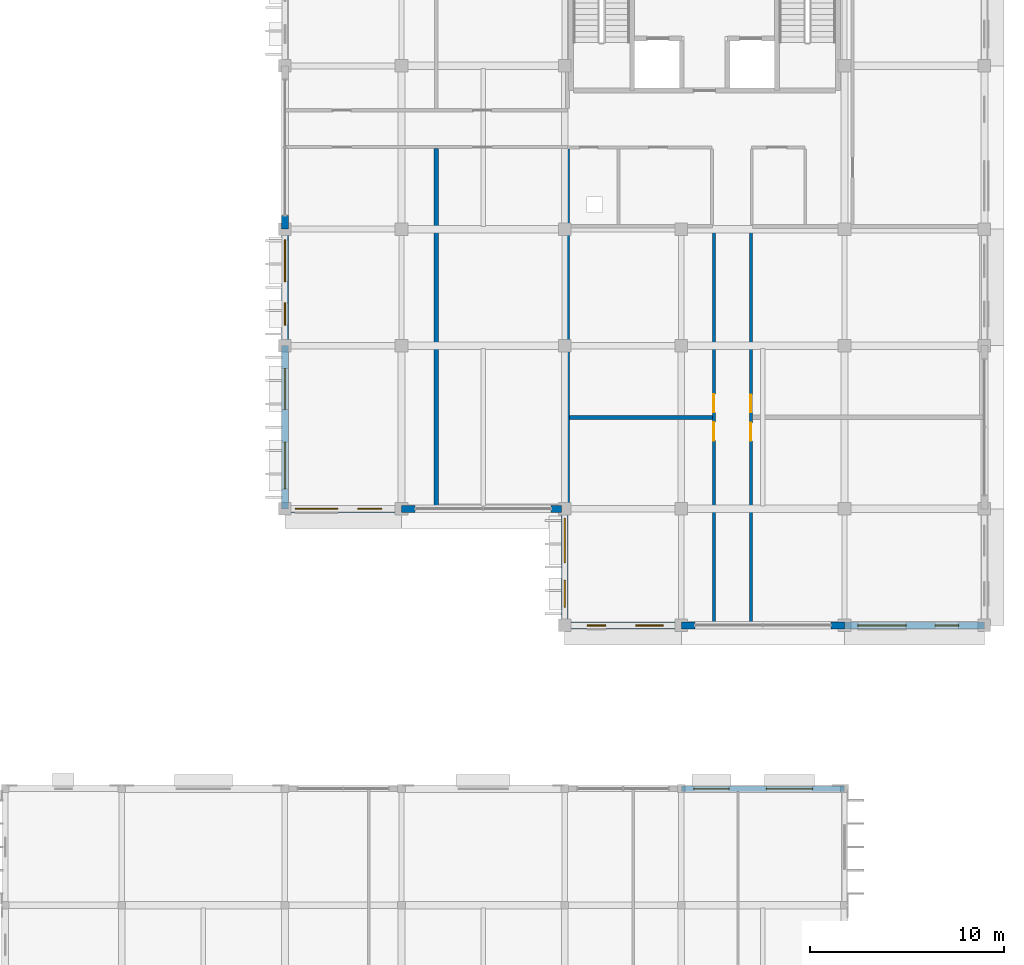
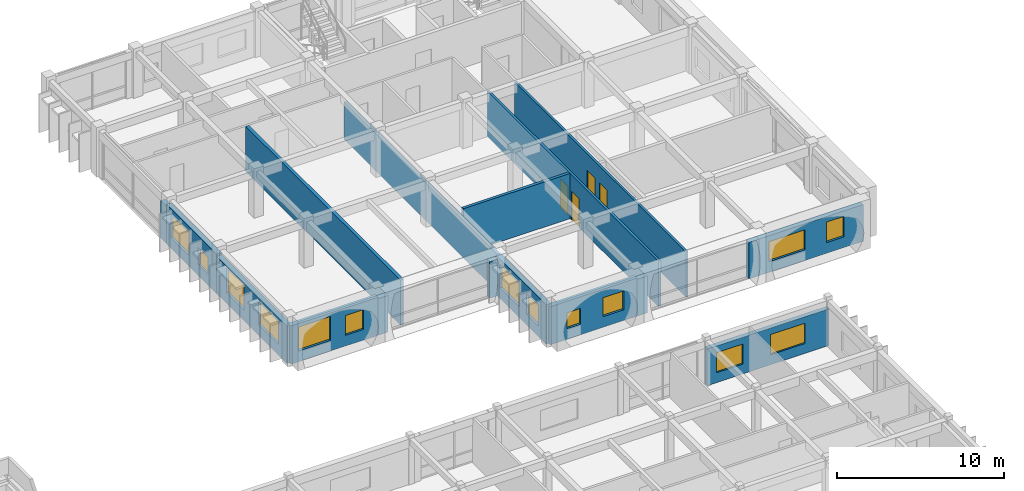
# One storey, part 62 of 88: 17 walls, 14 windows, 4 doors, 18 openings.
"""IFC4 building model written with IfcOpenShell, lengths in metres."""

from ifc_helpers import new_model, si_unit, direction, frame, frame_2d, origin, place, context, subcontext, project, spatial, rectangle, extrude, material, layer, layer_set, type_object, element, fill, save


model = new_model("IFC4")

# Units and contexts
model_context = context("Model", 3, precision=1e-05, world=origin(), true_north=direction((0.0, 1.0)))
body_context = subcontext(model_context, "Body", "Model", "MODEL_VIEW")
ifc_project = project(units=[si_unit("LENGTHUNIT", "METRE"), si_unit("AREAUNIT", "SQUARE_METRE"), si_unit("VOLUMEUNIT", "CUBIC_METRE"), si_unit("PLANEANGLEUNIT", "RADIAN"), si_unit("MASSUNIT", "GRAM", prefix="KILO"), si_unit("THERMODYNAMICTEMPERATUREUNIT", "KELVIN")], contexts=[model_context])

# Site, building, storey
site_placement = place(None, origin())
site = spatial("IfcSite", under=ifc_project, at=site_placement, CompositionType="ELEMENT")
building_placement = place(site_placement, origin())
building = spatial("IfcBuilding", under=site, at=building_placement, Name="Thalorik Housing Commons", CompositionType="ELEMENT")
storey_placement = place(building_placement, frame((0.0, 0.0, 4.5)))
storey = spatial("IfcBuildingStorey", under=building, at=storey_placement, Name="L01", CompositionType="ELEMENT", Elevation=4.5)

# Wall, openings, doors
ifc_material_1 = material(Name="Masonry fire-rated corridor wall", Category="masonry")
ifc_layer_1 = layer(ifc_material_1, 0.14990234375, Name="Masonry fire-rated corridor wall", Category="masonry")
ifc_layer_set_1 = layer_set([ifc_layer_1], Name="Masonry fire-rated corridor wall")
wall_type_1 = type_object("IfcWallType", Name="ARC-WAL-CORR-150", PredefinedType="PARTITIONING", material=ifc_layer_set_1)
wall_1_placement = place(storey_placement, frame((161.97998046875, 37.260009765625, 0.0), z_axis=(0.0, 0.0, 1.0), x_axis=(0.0, 1.0, 0.0)))
wall_1 = element("IfcWall", 1, at=wall_1_placement, inside=storey, type_object=wall_type_1, Name="L01 Block D E Corridor Wall 2", PredefinedType="PARTITIONING", context=body_context, shape_type="SweptSolid", body=[
    extrude(rectangle(XDim=20.47998046875, YDim=0.14990234375, at=frame_2d((10.239990234375, 0.0))), origin(), (0.0, 0.0, 1.0), 3.300048828125),
])
opening_1_placement = place(wall_1_placement, frame((9.43994140625, 0.0, 0.0)))
opening_1 = element("IfcOpeningElement", 2, at=opening_1_placement, cuts=wall_1, Name="Opening ID-1993", PredefinedType="OPENING", context=body_context, shape_type="SweptSolid", body=[
    extrude(rectangle(XDim=0.919921875, YDim=2.10009765625, at=frame_2d((0.4599609375, 1.050048828125))), frame((0.0, 0.0849609375, 0.0), z_axis=(0.0, -1.0, 0.0), x_axis=(1.0, 0.0, 0.0)), (0.0, 0.0, 1.0), 0.169921875),
])
opening_2_placement = place(wall_1_placement, frame((10.89990234375, 0.0, 0.0)))
opening_2 = element("IfcOpeningElement", 3, at=opening_2_placement, cuts=wall_1, Name="Opening ID-1994", PredefinedType="OPENING", context=body_context, shape_type="SweptSolid", body=[
    extrude(rectangle(XDim=0.919921875, YDim=2.10009765625, at=frame_2d((0.4599609375, 1.050048828125))), frame((0.0, 0.0849609375, 0.0), z_axis=(0.0, -1.0, 0.0), x_axis=(1.0, 0.0, 0.0)), (0.0, 0.0, 1.0), 0.169921875),
])
ifc_material_2 = material(Name="Solid core hardwood timber", Category="wood")
door_type_1 = type_object("IfcDoorType", Name="ARC-DR-FD30-920", OperationType="NOTDEFINED", PredefinedType="DOOR", material=ifc_material_2)
door_1_placement = place(opening_1_placement, origin())
door_1 = element("IfcDoor", 4, at=door_1_placement, inside=storey, type_object=door_type_1, Name="L01 Music and Craft Practice Room Door", OperationType="SINGLE_SWING_RIGHT", OverallHeight=2.10009765625, OverallWidth=0.919921875, PredefinedType="DOOR", context=body_context, shape_type="SweptSolid", body=[
    extrude(rectangle(XDim=0.919921875, YDim=2.10009765625, at=frame_2d((0.4599609375, 1.050048828125))), frame((0.0, 0.02490234375, 0.0), z_axis=(0.0, -1.0, 0.0), x_axis=(1.0, 0.0, 0.0)), (0.0, 0.0, 1.0), 0.050048828125),
])
fill(opening_1, door_1)
door_2_placement = place(opening_2_placement, origin())
door_2 = element("IfcDoor", 5, at=door_2_placement, inside=storey, type_object=door_type_1, Name="L01 Ceramics and Print Workshop Door", OperationType="SINGLE_SWING_LEFT", OverallHeight=2.10009765625, OverallWidth=0.919921875, PredefinedType="DOOR", context=body_context, shape_type="SweptSolid", body=[
    extrude(rectangle(XDim=0.919921875, YDim=2.10009765625, at=frame_2d((0.4599609375, 1.050048828125))), frame((0.0, 0.02490234375, 0.0), z_axis=(0.0, -1.0, 0.0), x_axis=(1.0, 0.0, 0.0)), (0.0, 0.0, 1.0), 0.050048828125),
])
fill(opening_2, door_2)

ifc_layer_2 = layer(ifc_material_1, 0.1650390625, Name="Masonry fire-rated corridor wall", Category="masonry")
ifc_layer_set_2 = layer_set([ifc_layer_2], Name="Masonry fire-rated corridor wall")
wall_type_2 = type_object("IfcWallType", Name="ARC-WAL-CORR-165", PredefinedType="PARTITIONING", material=ifc_layer_set_2)
wall_2_placement = place(storey_placement, frame((160.080078125, 37.260009765625, 0.0), z_axis=(0.0, 0.0, 1.0), x_axis=(0.0, 1.0, 0.0)))
wall_2 = element("IfcWall", 6, at=wall_2_placement, inside=storey, type_object=wall_type_2, Name="L01 Block D E Corridor Wall 1", PredefinedType="PARTITIONING", context=body_context, shape_type="SweptSolid", body=[
    extrude(rectangle(XDim=20.47998046875, YDim=0.1650390625, at=frame_2d((10.239990234375, 0.0))), origin(), (0.0, 0.0, 1.0), 3.300048828125),
])
opening_3_placement = place(wall_2_placement, frame((9.449951171875, 0.0, 0.0)))
opening_3 = element("IfcOpeningElement", 7, at=opening_3_placement, cuts=wall_2, Name="Opening ID-1991", PredefinedType="OPENING", context=body_context, shape_type="SweptSolid", body=[
    extrude(rectangle(XDim=0.949951171875, YDim=2.10009765625, at=frame_2d((0.47509765625, 1.050048828125))), frame((0.0, 0.092529296875, 0.0), z_axis=(0.0, -1.0, 0.0), x_axis=(1.0, 0.0, 0.0)), (0.0, 0.0, 1.0), 0.18505859375),
])
opening_4_placement = place(wall_2_placement, frame((10.89990234375, 0.0, 0.0)))
opening_4 = element("IfcOpeningElement", 8, at=opening_4_placement, cuts=wall_2, Name="Opening ID-1992", PredefinedType="OPENING", context=body_context, shape_type="SweptSolid", body=[
    extrude(rectangle(XDim=0.949951171875, YDim=2.10009765625, at=frame_2d((0.47509765625, 1.050048828125))), frame((0.0, 0.092529296875, 0.0), z_axis=(0.0, -1.0, 0.0), x_axis=(1.0, 0.0, 0.0)), (0.0, 0.0, 1.0), 0.18505859375),
])
ifc_material_3 = material(Name="Steel S355", Category="steel")
door_type_2 = type_object("IfcDoorType", Name="ARC-DR-FD60-950", OperationType="NOTDEFINED", PredefinedType="DOOR", material=ifc_material_3)
door_3_placement = place(opening_3_placement, origin())
door_3 = element("IfcDoor", 9, at=door_3_placement, inside=storey, type_object=door_type_2, Name="L01 Community Study Hall Entrance Door", OperationType="SINGLE_SWING_RIGHT", OverallHeight=2.10009765625, OverallWidth=0.949951171875, PredefinedType="DOOR", context=body_context, shape_type="SweptSolid", body=[
    extrude(rectangle(XDim=0.949951171875, YDim=2.10009765625, at=frame_2d((0.47509765625, 1.050048828125))), frame((0.0, 0.02490234375, 0.0), z_axis=(0.0, -1.0, 0.0), x_axis=(1.0, 0.0, 0.0)), (0.0, 0.0, 1.0), 0.050048828125),
])
fill(opening_3, door_3)
door_4_placement = place(opening_4_placement, origin())
door_4 = element("IfcDoor", 10, at=door_4_placement, inside=storey, type_object=door_type_2, Name="L01 Shared Sewing Workshop Entrance Door", OperationType="SINGLE_SWING_LEFT", OverallHeight=2.10009765625, OverallWidth=0.949951171875, PredefinedType="DOOR", context=body_context, shape_type="SweptSolid", body=[
    extrude(rectangle(XDim=0.949951171875, YDim=2.10009765625, at=frame_2d((0.47509765625, 1.050048828125))), frame((0.0, 0.02490234375, 0.0), z_axis=(0.0, -1.0, 0.0), x_axis=(1.0, 0.0, 0.0)), (0.0, 0.0, 1.0), 0.050048828125),
])
fill(opening_4, door_4)

# Wall, openings, windows
ifc_material_4 = material(Name="White precast concrete C40/50", Category="concrete")
ifc_layer_3 = layer(ifc_material_4, 0.2900390625, Name="White precast concrete C40/50", Category="concrete")
ifc_layer_set_3 = layer_set([ifc_layer_3], Name="White precast concrete C40/50")
wall_type_3 = type_object("IfcWallType", Name="ARC-WAL-EXT-290", PredefinedType="STANDARD", material=ifc_layer_set_3)
wall_3_placement = place(storey_placement, frame((166.800048828125, 28.800048828125, 0.0), z_axis=(0.0, 0.0, 1.0), x_axis=(-1.0, 0.0, 0.0)))
wall_3 = element("IfcWall", 11, at=wall_3_placement, inside=storey, type_object=wall_type_3, Name="L01 Exterior Wall WAL-NURS-L01-1350", PredefinedType="STANDARD", context=body_context, shape_type="SweptSolid", body=[
    extrude(rectangle(XDim=8.400146484375, YDim=0.2900390625, at=frame_2d((4.2001953125, 0.0))), origin(), (0.0, 0.0, 1.0), 2.675048828125),
])
opening_5_placement = place(wall_3_placement, frame((1.64501953125, 0.0, 0.719970703125)))
opening_5 = element("IfcOpeningElement", 12, at=opening_5_placement, cuts=wall_3, Name="Opening W-69", PredefinedType="OPENING", context=body_context, shape_type="SweptSolid", body=[
    extrude(rectangle(XDim=2.3798828125, YDim=1.47998046875, at=frame_2d((1.18994140625, 0.739990234375))), frame((0.0, 0.155029296875, 0.0), z_axis=(0.0, -1.0, 0.0), x_axis=(1.0, 0.0, 0.0)), (0.0, 0.0, 1.0), 0.31005859375),
])
opening_6_placement = place(wall_3_placement, frame((5.93505859375, 0.0, 0.719970703125)))
opening_6 = element("IfcOpeningElement", 13, at=opening_6_placement, cuts=wall_3, Name="Opening W-58", PredefinedType="OPENING", context=body_context, shape_type="SweptSolid", body=[
    extrude(rectangle(XDim=1.820068359375, YDim=1.4599609375, at=frame_2d((0.91015625, 0.72998046875))), frame((0.0, 0.155029296875, 0.0), z_axis=(0.0, -1.0, 0.0), x_axis=(1.0, 0.0, 0.0)), (0.0, 0.0, 1.0), 0.31005859375),
])
ifc_material_5 = material(Name="Anodised aluminium and solar-control low-E glass", Category="aluminium")
window_type_1 = type_object("IfcWindowType", Name="ARC-WIN-58", PartitioningType="DOUBLE_PANEL_VERTICAL", PredefinedType="WINDOW", material=ifc_material_5)
window_1_placement = place(opening_6_placement, origin())
window_1 = element("IfcWindow", 14, at=window_1_placement, inside=storey, type_object=window_type_1, Name="L01 Facade Window 2392", OverallHeight=1.4599609375, OverallWidth=1.820068359375, PartitioningType="DOUBLE_PANEL_VERTICAL", PredefinedType="WINDOW", context=body_context, shape_type="SweptSolid", body=[
    extrude(rectangle(XDim=1.820068359375, YDim=1.4599609375, at=frame_2d((0.91015625, 0.72998046875))), frame((0.0, 0.030029296875, 0.0), z_axis=(0.0, -1.0, 0.0), x_axis=(1.0, 0.0, 0.0)), (0.0, 0.0, 1.0), 0.06005859375),
])
fill(opening_6, window_1)
window_type_2 = type_object("IfcWindowType", Name="ARC-WIN-69", PartitioningType="DOUBLE_PANEL_VERTICAL", PredefinedType="WINDOW", material=ifc_material_5)
window_2_placement = place(opening_5_placement, origin())
window_2 = element("IfcWindow", 15, at=window_2_placement, inside=storey, type_object=window_type_2, Name="L01 Facade Window 2391", OverallHeight=1.47998046875, OverallWidth=2.3798828125, PartitioningType="DOUBLE_PANEL_VERTICAL", PredefinedType="WINDOW", context=body_context, shape_type="SweptSolid", body=[
    extrude(rectangle(XDim=2.3798828125, YDim=1.47998046875, at=frame_2d((1.18994140625, 0.739990234375))), frame((0.0, 0.030029296875, 0.0), z_axis=(0.0, -1.0, 0.0), x_axis=(1.0, 0.0, 0.0)), (0.0, 0.0, 1.0), 0.06005859375),
])
fill(opening_5, window_2)

# Wall
ifc_layer_4 = layer(ifc_material_4, 0.35009765625, Name="White precast concrete C40/50", Category="concrete")
ifc_layer_set_4 = layer_set([ifc_layer_4], Name="White precast concrete C40/50")
wall_type_4 = type_object("IfcWallType", Name="ARC-WAL-EXT-350", PredefinedType="STANDARD", material=ifc_layer_set_4)
wall_4_placement = place(storey_placement, frame((138.0, 58.300048828125, 0.0), z_axis=(0.0, 0.0, 1.0), x_axis=(0.0, -1.0, 0.0)))
element("IfcWall", 16, at=wall_4_placement, inside=storey, type_object=wall_type_4, Name="L01 Exterior Wall WAL-PIERR-L01-D-1128", PredefinedType="STANDARD", context=body_context, shape_type="SweptSolid", body=[
    extrude(rectangle(XDim=0.699951171875, YDim=0.35009765625, at=frame_2d((0.35009765625, 0.0))), origin(), (0.0, 0.0, 1.0), 2.72509765625),
])

# Wall, openings, windows
wall_5_placement = place(storey_placement, frame((138.0, 57.60009765625, 0.0), z_axis=(0.0, 0.0, 1.0), x_axis=(0.0, -1.0, 0.0)))
wall_5 = element("IfcWall", 17, at=wall_5_placement, inside=storey, type_object=wall_type_4, Name="L01 Exterior Wall WAL-EXT-L01-D-1129", PredefinedType="STANDARD", context=body_context, shape_type="SweptSolid", body=[
    extrude(rectangle(XDim=6.0, YDim=0.35009765625, at=frame_2d((3.0, 0.0))), origin(), (0.0, 0.0, 1.0), 2.875),
])
opening_7_placement = place(wall_5_placement, frame((0.554931640625, 0.0, 0.780029296875)))
opening_7 = element("IfcOpeningElement", 18, at=opening_7_placement, cuts=wall_5, Name="Opening W-28", PredefinedType="OPENING", context=body_context, shape_type="SweptSolid", body=[
    extrude(rectangle(XDim=2.14990234375, YDim=1.64990234375, at=frame_2d((1.074951171875, 0.824951171875))), frame((0.0, 0.18505859375, 0.0), z_axis=(0.0, -1.0, 0.0), x_axis=(1.0, 0.0, 0.0)), (0.0, 0.0, 1.0), 0.3701171875),
])
opening_8_placement = place(wall_5_placement, frame((3.794921875, 0.0, 0.780029296875)))
opening_8 = element("IfcOpeningElement", 19, at=opening_8_placement, cuts=wall_5, Name="Opening W-45", PredefinedType="OPENING", context=body_context, shape_type="SweptSolid", body=[
    extrude(rectangle(XDim=1.14990234375, YDim=1.25, at=frame_2d((0.574951171875, 0.625))), frame((0.0, 0.18505859375, 0.0), z_axis=(0.0, -1.0, 0.0), x_axis=(1.0, 0.0, 0.0)), (0.0, 0.0, 1.0), 0.3701171875),
])
window_type_3 = type_object("IfcWindowType", Name="ARC-WIN-28", PartitioningType="DOUBLE_PANEL_VERTICAL", PredefinedType="WINDOW", material=ifc_material_5)
window_3_placement = place(opening_7_placement, origin())
window_3 = element("IfcWindow", 20, at=window_3_placement, inside=storey, type_object=window_type_3, Name="L01 Facade Window 2074", OverallHeight=1.64990234375, OverallWidth=2.14990234375, PartitioningType="DOUBLE_PANEL_VERTICAL", PredefinedType="WINDOW", context=body_context, shape_type="SweptSolid", body=[
    extrude(rectangle(XDim=2.14990234375, YDim=1.64990234375, at=frame_2d((1.074951171875, 0.824951171875))), frame((0.0, 0.030029296875, 0.0), z_axis=(0.0, -1.0, 0.0), x_axis=(1.0, 0.0, 0.0)), (0.0, 0.0, 1.0), 0.06005859375),
])
fill(opening_7, window_3)
window_type_4 = type_object("IfcWindowType", Name="ARC-WIN-45", PartitioningType="SINGLE_PANEL", PredefinedType="WINDOW", material=ifc_material_5)
window_4_placement = place(opening_8_placement, origin())
window_4 = element("IfcWindow", 21, at=window_4_placement, inside=storey, type_object=window_type_4, Name="L01 Facade Window 2075", OverallHeight=1.25, OverallWidth=1.14990234375, PartitioningType="SINGLE_PANEL", PredefinedType="WINDOW", context=body_context, shape_type="SweptSolid", body=[
    extrude(rectangle(XDim=1.14990234375, YDim=1.25, at=frame_2d((0.574951171875, 0.625))), frame((0.0, 0.030029296875, 0.0), z_axis=(0.0, -1.0, 0.0), x_axis=(1.0, 0.0, 0.0)), (0.0, 0.0, 1.0), 0.06005859375),
])
fill(opening_8, window_4)

wall_6_placement = place(storey_placement, frame((138.0, 51.60009765625, 0.0), z_axis=(0.0, 0.0, 1.0), x_axis=(0.0, -1.0, 0.0)))
wall_6 = element("IfcWall", 22, at=wall_6_placement, inside=storey, type_object=wall_type_4, Name="L01 Exterior Wall WAL-EXT-L01-D-1130", PredefinedType="STANDARD", context=body_context, shape_type="SweptSolid", body=[
    extrude(rectangle(XDim=8.400146484375, YDim=0.35009765625, at=frame_2d((4.2001953125, 0.0))), origin(), (0.0, 0.0, 1.0), 2.72509765625),
])
opening_9_placement = place(wall_6_placement, frame((1.179931640625, 0.0, 0.780029296875)))
opening_9 = element("IfcOpeningElement", 23, at=opening_9_placement, cuts=wall_6, Name="Opening W-27", PredefinedType="OPENING", context=body_context, shape_type="SweptSolid", body=[
    extrude(rectangle(XDim=2.10009765625, YDim=1.800048828125, at=frame_2d((1.050048828125, 0.89990234375))), frame((0.0, 0.18505859375, 0.0), z_axis=(0.0, -1.0, 0.0), x_axis=(1.0, 0.0, 0.0)), (0.0, 0.0, 1.0), 0.3701171875),
])
opening_10_placement = place(wall_6_placement, frame((4.969970703125, 0.0, 0.780029296875)))
opening_10 = element("IfcOpeningElement", 24, at=opening_10_placement, cuts=wall_6, Name="Opening W-34", PredefinedType="OPENING", context=body_context, shape_type="SweptSolid", body=[
    extrude(rectangle(XDim=2.39990234375, YDim=1.64990234375, at=frame_2d((1.199951171875, 0.824951171875))), frame((0.0, 0.18505859375, 0.0), z_axis=(0.0, -1.0, 0.0), x_axis=(1.0, 0.0, 0.0)), (0.0, 0.0, 1.0), 0.3701171875),
])
window_type_5 = type_object("IfcWindowType", Name="ARC-WIN-27", PartitioningType="DOUBLE_PANEL_VERTICAL", PredefinedType="WINDOW", material=ifc_material_5)
window_5_placement = place(opening_9_placement, origin())
window_5 = element("IfcWindow", 25, at=window_5_placement, inside=storey, type_object=window_type_5, Name="L01 Facade Window 2076", OverallHeight=1.800048828125, OverallWidth=2.10009765625, PartitioningType="DOUBLE_PANEL_VERTICAL", PredefinedType="WINDOW", context=body_context, shape_type="SweptSolid", body=[
    extrude(rectangle(XDim=2.10009765625, YDim=1.800048828125, at=frame_2d((1.050048828125, 0.89990234375))), frame((0.0, 0.030029296875, 0.0), z_axis=(0.0, -1.0, 0.0), x_axis=(1.0, 0.0, 0.0)), (0.0, 0.0, 1.0), 0.06005859375),
])
fill(opening_9, window_5)
window_type_6 = type_object("IfcWindowType", Name="ARC-WIN-34", PartitioningType="DOUBLE_PANEL_VERTICAL", PredefinedType="WINDOW", material=ifc_material_5)
window_6_placement = place(opening_10_placement, origin())
window_6 = element("IfcWindow", 26, at=window_6_placement, inside=storey, type_object=window_type_6, Name="L01 Facade Window 2077", OverallHeight=1.64990234375, OverallWidth=2.39990234375, PartitioningType="DOUBLE_PANEL_VERTICAL", PredefinedType="WINDOW", context=body_context, shape_type="SweptSolid", body=[
    extrude(rectangle(XDim=2.39990234375, YDim=1.64990234375, at=frame_2d((1.199951171875, 0.824951171875))), frame((0.0, 0.030029296875, 0.0), z_axis=(0.0, -1.0, 0.0), x_axis=(1.0, 0.0, 0.0)), (0.0, 0.0, 1.0), 0.06005859375),
])
fill(opening_10, window_6)

wall_7_placement = place(storey_placement, frame((138.0, 43.199951171875, 0.0), z_axis=(0.0, 0.0, 1.0), x_axis=(1.0, 0.0, 0.0)))
wall_7 = element("IfcWall", 27, at=wall_7_placement, inside=storey, type_object=wall_type_4, Name="L01 Exterior Wall WAL-EXT-L01-D-1131", PredefinedType="STANDARD", context=body_context, shape_type="SweptSolid", body=[
    extrude(rectangle(XDim=6.0, YDim=0.35009765625, at=frame_2d((3.0, 0.0))), origin(), (0.0, 0.0, 1.0), 2.77490234375),
])
opening_11_placement = place(wall_7_placement, frame((0.530029296875, 0.0, 0.780029296875)))
opening_11 = element("IfcOpeningElement", 28, at=opening_11_placement, cuts=wall_7, Name="Opening W-30", PredefinedType="OPENING", context=body_context, shape_type="SweptSolid", body=[
    extrude(rectangle(XDim=2.199951171875, YDim=1.75, at=frame_2d((1.10009765625, 0.875))), frame((0.0, 0.18505859375, 0.0), z_axis=(0.0, -1.0, 0.0), x_axis=(1.0, 0.0, 0.0)), (0.0, 0.0, 1.0), 0.3701171875),
])
opening_12_placement = place(wall_7_placement, frame((3.7451171875, 0.0, 0.780029296875)))
opening_12 = element("IfcOpeningElement", 29, at=opening_12_placement, cuts=wall_7, Name="Opening W-47", PredefinedType="OPENING", context=body_context, shape_type="SweptSolid", body=[
    extrude(rectangle(XDim=1.25, YDim=1.449951171875, at=frame_2d((0.625, 0.72509765625))), frame((0.0, 0.18505859375, 0.0), z_axis=(0.0, -1.0, 0.0), x_axis=(1.0, 0.0, 0.0)), (0.0, 0.0, 1.0), 0.3701171875),
])
window_type_7 = type_object("IfcWindowType", Name="ARC-WIN-30", PartitioningType="DOUBLE_PANEL_VERTICAL", PredefinedType="WINDOW", material=ifc_material_5)
window_7_placement = place(opening_11_placement, origin())
window_7 = element("IfcWindow", 30, at=window_7_placement, inside=storey, type_object=window_type_7, Name="L01 Facade Window 2078", OverallHeight=1.75, OverallWidth=2.199951171875, PartitioningType="DOUBLE_PANEL_VERTICAL", PredefinedType="WINDOW", context=body_context, shape_type="SweptSolid", body=[
    extrude(rectangle(XDim=2.199951171875, YDim=1.75, at=frame_2d((1.10009765625, 0.875))), frame((0.0, 0.030029296875, 0.0), z_axis=(0.0, -1.0, 0.0), x_axis=(1.0, 0.0, 0.0)), (0.0, 0.0, 1.0), 0.06005859375),
])
fill(opening_11, window_7)
window_type_8 = type_object("IfcWindowType", Name="ARC-WIN-47", PartitioningType="SINGLE_PANEL", PredefinedType="WINDOW", material=ifc_material_5)
window_8_placement = place(opening_12_placement, origin())
window_8 = element("IfcWindow", 31, at=window_8_placement, inside=storey, type_object=window_type_8, Name="L01 Facade Window 2079", OverallHeight=1.449951171875, OverallWidth=1.25, PartitioningType="SINGLE_PANEL", PredefinedType="WINDOW", context=body_context, shape_type="SweptSolid", body=[
    extrude(rectangle(XDim=1.25, YDim=1.449951171875, at=frame_2d((0.625, 0.72509765625))), frame((0.0, 0.030029296875, 0.0), z_axis=(0.0, -1.0, 0.0), x_axis=(1.0, 0.0, 0.0)), (0.0, 0.0, 1.0), 0.06005859375),
])
fill(opening_12, window_8)

# Walls
wall_8_placement = place(storey_placement, frame((144.0, 43.199951171875, 0.0), z_axis=(0.0, 0.0, 1.0), x_axis=(1.0, 0.0, 0.0)))
element("IfcWall", 32, at=wall_8_placement, inside=storey, type_object=wall_type_4, Name="L01 Exterior Wall WAL-PIERL-L01-D-1132", PredefinedType="STANDARD", context=body_context, shape_type="SweptSolid", body=[
    extrude(rectangle(XDim=0.699951171875, YDim=0.35009765625, at=frame_2d((0.35009765625, 0.0))), origin(), (0.0, 0.0, 1.0), 2.675048828125),
])
wall_9_placement = place(storey_placement, frame((151.699951171875, 43.199951171875, 0.0), z_axis=(0.0, 0.0, 1.0), x_axis=(1.0, 0.0, 0.0)))
element("IfcWall", 33, at=wall_9_placement, inside=storey, type_object=wall_type_4, Name="L01 Exterior Wall WAL-PIERR-L01-D-1132", PredefinedType="STANDARD", context=body_context, shape_type="SweptSolid", body=[
    extrude(rectangle(XDim=0.52294921875, YDim=0.35009765625, at=frame_2d((0.261474609375, 0.0))), origin(), (0.0, 0.0, 1.0), 2.675048828125),
])

# Wall, openings, windows
wall_10_placement = place(storey_placement, frame((152.39990234375, 43.199951171875, 0.0), z_axis=(0.0, 0.0, 1.0), x_axis=(0.0, -1.0, 0.0)))
wall_10 = element("IfcWall", 34, at=wall_10_placement, inside=storey, type_object=wall_type_4, Name="L01 Exterior Wall WAL-EXT-L01-D-1133", PredefinedType="STANDARD", context=body_context, shape_type="SweptSolid", body=[
    extrude(rectangle(XDim=6.0, YDim=0.35009765625, at=frame_2d((3.0, 0.0))), origin(), (0.0, 0.0, 1.0), 2.875),
])
opening_13_placement = place(wall_10_placement, frame((0.47998046875, 0.0, 0.780029296875)))
opening_13 = element("IfcOpeningElement", 35, at=opening_13_placement, cuts=wall_10, Name="Opening W-32", PredefinedType="OPENING", context=body_context, shape_type="SweptSolid", body=[
    extrude(rectangle(XDim=2.300048828125, YDim=1.699951171875, at=frame_2d((1.14990234375, 0.85009765625))), frame((0.0, 0.18505859375, 0.0), z_axis=(0.0, -1.0, 0.0), x_axis=(1.0, 0.0, 0.0)), (0.0, 0.0, 1.0), 0.3701171875),
])
opening_14_placement = place(wall_10_placement, frame((3.679931640625, 0.0, 0.780029296875)))
opening_14 = element("IfcOpeningElement", 36, at=opening_14_placement, cuts=wall_10, Name="Opening W-49", PredefinedType="OPENING", context=body_context, shape_type="SweptSolid", body=[
    extrude(rectangle(XDim=1.3798828125, YDim=1.47998046875, at=frame_2d((0.68994140625, 0.739990234375))), frame((0.0, 0.18505859375, 0.0), z_axis=(0.0, -1.0, 0.0), x_axis=(1.0, 0.0, 0.0)), (0.0, 0.0, 1.0), 0.3701171875),
])
window_type_9 = type_object("IfcWindowType", Name="ARC-WIN-32", PartitioningType="DOUBLE_PANEL_VERTICAL", PredefinedType="WINDOW", material=ifc_material_5)
window_9_placement = place(opening_13_placement, origin())
window_9 = element("IfcWindow", 37, at=window_9_placement, inside=storey, type_object=window_type_9, Name="L01 Facade Window 2080", OverallHeight=1.699951171875, OverallWidth=2.300048828125, PartitioningType="DOUBLE_PANEL_VERTICAL", PredefinedType="WINDOW", context=body_context, shape_type="SweptSolid", body=[
    extrude(rectangle(XDim=2.300048828125, YDim=1.699951171875, at=frame_2d((1.14990234375, 0.85009765625))), frame((0.0, 0.030029296875, 0.0), z_axis=(0.0, -1.0, 0.0), x_axis=(1.0, 0.0, 0.0)), (0.0, 0.0, 1.0), 0.06005859375),
])
fill(opening_13, window_9)
window_type_10 = type_object("IfcWindowType", Name="ARC-WIN-49", PartitioningType="SINGLE_PANEL", PredefinedType="WINDOW", material=ifc_material_5)
window_10_placement = place(opening_14_placement, origin())
window_10 = element("IfcWindow", 38, at=window_10_placement, inside=storey, type_object=window_type_10, Name="L01 Facade Window 2081", OverallHeight=1.47998046875, OverallWidth=1.3798828125, PartitioningType="SINGLE_PANEL", PredefinedType="WINDOW", context=body_context, shape_type="SweptSolid", body=[
    extrude(rectangle(XDim=1.3798828125, YDim=1.47998046875, at=frame_2d((0.68994140625, 0.739990234375))), frame((0.0, 0.030029296875, 0.0), z_axis=(0.0, -1.0, 0.0), x_axis=(1.0, 0.0, 0.0)), (0.0, 0.0, 1.0), 0.06005859375),
])
fill(opening_14, window_10)

wall_11_placement = place(storey_placement, frame((152.39990234375, 37.199951171875, 0.0), z_axis=(0.0, 0.0, 1.0), x_axis=(1.0, 0.0, 0.0)))
wall_11 = element("IfcWall", 39, at=wall_11_placement, inside=storey, type_object=wall_type_4, Name="L01 Exterior Wall WAL-EXT-L01-D-1134", PredefinedType="STANDARD", context=body_context, shape_type="SweptSolid", body=[
    extrude(rectangle(XDim=6.0, YDim=0.35009765625, at=frame_2d((3.0, 0.0))), origin(), (0.0, 0.0, 1.0), 2.77490234375),
])
opening_15_placement = place(wall_11_placement, frame((1.155029296875, 0.0, 0.780029296875)))
opening_15 = element("IfcOpeningElement", 40, at=opening_15_placement, cuts=wall_11, Name="Opening W-43", PredefinedType="OPENING", context=body_context, shape_type="SweptSolid", body=[
    extrude(rectangle(XDim=0.949951171875, YDim=1.14990234375, at=frame_2d((0.47509765625, 0.574951171875))), frame((0.0, 0.18505859375, 0.0), z_axis=(0.0, -1.0, 0.0), x_axis=(1.0, 0.0, 0.0)), (0.0, 0.0, 1.0), 0.3701171875),
])
opening_16_placement = place(wall_11_placement, frame((3.659912109375, 0.0, 0.780029296875)))
opening_16 = element("IfcOpeningElement", 41, at=opening_16_placement, cuts=wall_11, Name="Opening W-50", PredefinedType="OPENING", context=body_context, shape_type="SweptSolid", body=[
    extrude(rectangle(XDim=1.419921875, YDim=1.3798828125, at=frame_2d((0.7099609375, 0.68994140625))), frame((0.0, 0.18505859375, 0.0), z_axis=(0.0, -1.0, 0.0), x_axis=(1.0, 0.0, 0.0)), (0.0, 0.0, 1.0), 0.3701171875),
])
window_type_11 = type_object("IfcWindowType", Name="ARC-WIN-43", PartitioningType="SINGLE_PANEL", PredefinedType="WINDOW", material=ifc_material_5)
window_11_placement = place(opening_15_placement, origin())
window_11 = element("IfcWindow", 42, at=window_11_placement, inside=storey, type_object=window_type_11, Name="L01 Facade Window 2082", OverallHeight=1.14990234375, OverallWidth=0.949951171875, PartitioningType="SINGLE_PANEL", PredefinedType="WINDOW", context=body_context, shape_type="SweptSolid", body=[
    extrude(rectangle(XDim=0.949951171875, YDim=1.14990234375, at=frame_2d((0.47509765625, 0.574951171875))), frame((0.0, 0.030029296875, 0.0), z_axis=(0.0, -1.0, 0.0), x_axis=(1.0, 0.0, 0.0)), (0.0, 0.0, 1.0), 0.06005859375),
])
fill(opening_15, window_11)
window_type_12 = type_object("IfcWindowType", Name="ARC-WIN-50", PartitioningType="SINGLE_PANEL", PredefinedType="WINDOW", material=ifc_material_5)
window_12_placement = place(opening_16_placement, origin())
window_12 = element("IfcWindow", 43, at=window_12_placement, inside=storey, type_object=window_type_12, Name="L01 Facade Window 2083", OverallHeight=1.3798828125, OverallWidth=1.419921875, PartitioningType="SINGLE_PANEL", PredefinedType="WINDOW", context=body_context, shape_type="SweptSolid", body=[
    extrude(rectangle(XDim=1.419921875, YDim=1.3798828125, at=frame_2d((0.7099609375, 0.68994140625))), frame((0.0, 0.030029296875, 0.0), z_axis=(0.0, -1.0, 0.0), x_axis=(1.0, 0.0, 0.0)), (0.0, 0.0, 1.0), 0.06005859375),
])
fill(opening_16, window_12)

# Walls
wall_12_placement = place(storey_placement, frame((158.39990234375, 37.199951171875, 0.0), z_axis=(0.0, 0.0, 1.0), x_axis=(1.0, 0.0, 0.0)))
element("IfcWall", 44, at=wall_12_placement, inside=storey, type_object=wall_type_4, Name="L01 Exterior Wall WAL-PIERL-L01-D-1135", PredefinedType="STANDARD", context=body_context, shape_type="SweptSolid", body=[
    extrude(rectangle(XDim=0.7001953125, YDim=0.35009765625, at=frame_2d((0.35009765625, 0.0))), origin(), (0.0, 0.0, 1.0), 2.675048828125),
])
wall_13_placement = place(storey_placement, frame((166.10009765625, 37.199951171875, 0.0), z_axis=(0.0, 0.0, 1.0), x_axis=(1.0, 0.0, 0.0)))
element("IfcWall", 45, at=wall_13_placement, inside=storey, type_object=wall_type_4, Name="L01 Exterior Wall WAL-PIERR-L01-D-1135", PredefinedType="STANDARD", context=body_context, shape_type="SweptSolid", body=[
    extrude(rectangle(XDim=0.699951171875, YDim=0.35009765625, at=frame_2d((0.35009765625, 0.0))), origin(), (0.0, 0.0, 1.0), 2.675048828125),
])

# Wall, openings, windows
wall_14_placement = place(storey_placement, frame((166.800048828125, 37.199951171875, 0.0), z_axis=(0.0, 0.0, 1.0), x_axis=(1.0, 0.0, 0.0)))
wall_14 = element("IfcWall", 46, at=wall_14_placement, inside=storey, type_object=wall_type_4, Name="L01 Exterior Wall WAL-EXT-L01-D-1136", PredefinedType="STANDARD", context=body_context, shape_type="SweptSolid", body=[
    extrude(rectangle(XDim=7.199951171875, YDim=0.35009765625, at=frame_2d((3.60009765625, 0.0))), origin(), (0.0, 0.0, 1.0), 2.675048828125),
])
opening_17_placement = place(wall_14_placement, frame((0.68994140625, 0.0, 0.780029296875)))
opening_17 = element("IfcOpeningElement", 47, at=opening_17_placement, cuts=wall_14, Name="Opening W-71", PredefinedType="OPENING", context=body_context, shape_type="SweptSolid", body=[
    extrude(rectangle(XDim=2.47998046875, YDim=1.4599609375, at=frame_2d((1.239990234375, 0.72998046875))), frame((0.0, 0.18505859375, 0.0), z_axis=(0.0, -1.0, 0.0), x_axis=(1.0, 0.0, 0.0)), (0.0, 0.0, 1.0), 0.3701171875),
])
opening_18_placement = place(wall_14_placement, frame((4.669921875, 0.0, 0.780029296875)))
opening_18 = element("IfcOpeningElement", 48, at=opening_18_placement, cuts=wall_14, Name="Opening W-05", PredefinedType="OPENING", context=body_context, shape_type="SweptSolid", body=[
    extrude(rectangle(XDim=1.199951171875, YDim=1.5, at=frame_2d((0.60009765625, 0.75))), frame((0.0, 0.18505859375, 0.0), z_axis=(0.0, -1.0, 0.0), x_axis=(1.0, 0.0, 0.0)), (0.0, 0.0, 1.0), 0.3701171875),
])
window_type_13 = type_object("IfcWindowType", Name="ARC-WIN-05", PartitioningType="SINGLE_PANEL", PredefinedType="WINDOW", material=ifc_material_5)
window_13_placement = place(opening_18_placement, origin())
window_13 = element("IfcWindow", 49, at=window_13_placement, inside=storey, type_object=window_type_13, Name="L01 Facade Window 2085", OverallHeight=1.5, OverallWidth=1.199951171875, PartitioningType="SINGLE_PANEL", PredefinedType="WINDOW", context=body_context, shape_type="SweptSolid", body=[
    extrude(rectangle(XDim=1.199951171875, YDim=1.5, at=frame_2d((0.60009765625, 0.75))), frame((0.0, 0.030029296875, 0.0), z_axis=(0.0, -1.0, 0.0), x_axis=(1.0, 0.0, 0.0)), (0.0, 0.0, 1.0), 0.06005859375),
])
fill(opening_18, window_13)
window_type_14 = type_object("IfcWindowType", Name="ARC-WIN-71", PartitioningType="DOUBLE_PANEL_VERTICAL", PredefinedType="WINDOW", material=ifc_material_5)
window_14_placement = place(opening_17_placement, origin())
window_14 = element("IfcWindow", 50, at=window_14_placement, inside=storey, type_object=window_type_14, Name="L01 Facade Window 2084", OverallHeight=1.4599609375, OverallWidth=2.47998046875, PartitioningType="DOUBLE_PANEL_VERTICAL", PredefinedType="WINDOW", context=body_context, shape_type="SweptSolid", body=[
    extrude(rectangle(XDim=2.47998046875, YDim=1.4599609375, at=frame_2d((1.239990234375, 0.72998046875))), frame((0.0, 0.030029296875, 0.0), z_axis=(0.0, -1.0, 0.0), x_axis=(1.0, 0.0, 0.0)), (0.0, 0.0, 1.0), 0.06005859375),
])
fill(opening_17, window_14)

# Walls
ifc_material_6 = material(Name="Precast concrete C40/50 acoustic wall", Category="concrete")
ifc_layer_5 = layer(ifc_material_6, 0.199951171875, Name="Precast concrete C40/50 acoustic wall", Category="concrete")
ifc_layer_set_5 = layer_set([ifc_layer_5], Name="Precast concrete C40/50 acoustic wall")
wall_type_5 = type_object("IfcWallType", Name="ARC-WAL-PARTY-200", PredefinedType="PARTITIONING", material=ifc_layer_set_5)
wall_15_placement = place(storey_placement, frame((152.64208984375, 47.909912109375, 0.0), z_axis=(0.0, 0.0, 1.0), x_axis=(1.0, 0.0, 0.0)))
element("IfcWall", 51, at=wall_15_placement, inside=storey, type_object=wall_type_5, Name="L01 Inter-Tenancy Wall 1A", PredefinedType="PARTITIONING", context=body_context, shape_type="SweptSolid", body=[
    extrude(rectangle(XDim=7.353515625, YDim=0.199951171875, at=frame_2d((3.6767578125, 0.0))), origin(), (0.0, 0.0, 1.0), 3.300048828125),
])
wall_16_placement = place(storey_placement, frame((152.5400390625, 43.260009765625, 0.0), z_axis=(0.0, 0.0, 1.0), x_axis=(0.0, 1.0, 0.0)))
element("IfcWall", 52, at=wall_16_placement, inside=storey, type_object=wall_type_5, Name="L01 Core End Wall A", PredefinedType="PARTITIONING", context=body_context, shape_type="SweptSolid", body=[
    extrude(rectangle(XDim=18.464111328125, YDim=0.199951171875, at=frame_2d((9.23193359375, 0.0))), origin(), (0.0, 0.0, 1.0), 2.72509765625),
])
ifc_layer_6 = layer(ifc_material_6, 0.219970703125, Name="Precast concrete C40/50 acoustic wall", Category="concrete")
ifc_layer_set_6 = layer_set([ifc_layer_6], Name="Precast concrete C40/50 acoustic wall")
wall_type_6 = type_object("IfcWallType", Name="ARC-WAL-PARTY-220", PredefinedType="PARTITIONING", material=ifc_layer_set_6)
wall_17_placement = place(storey_placement, frame((145.7900390625, 43.260009765625, 0.0), z_axis=(0.0, 0.0, 1.0), x_axis=(0.0, 1.0, 0.0)))
element("IfcWall", 53, at=wall_17_placement, inside=storey, type_object=wall_type_6, Name="L01 Inter-Tenancy Wall 1A", PredefinedType="PARTITIONING", context=body_context, shape_type="SweptSolid", body=[
    extrude(rectangle(XDim=18.48291015625, YDim=0.219970703125, at=frame_2d((9.241455078125, 0.0))), origin(), (0.0, 0.0, 1.0), 3.300048828125),
])

save(model, "model.ifc")
